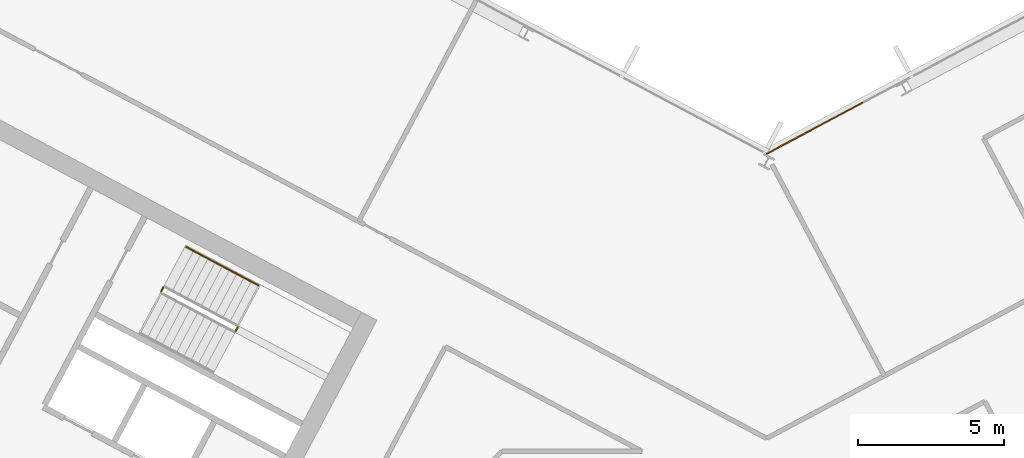
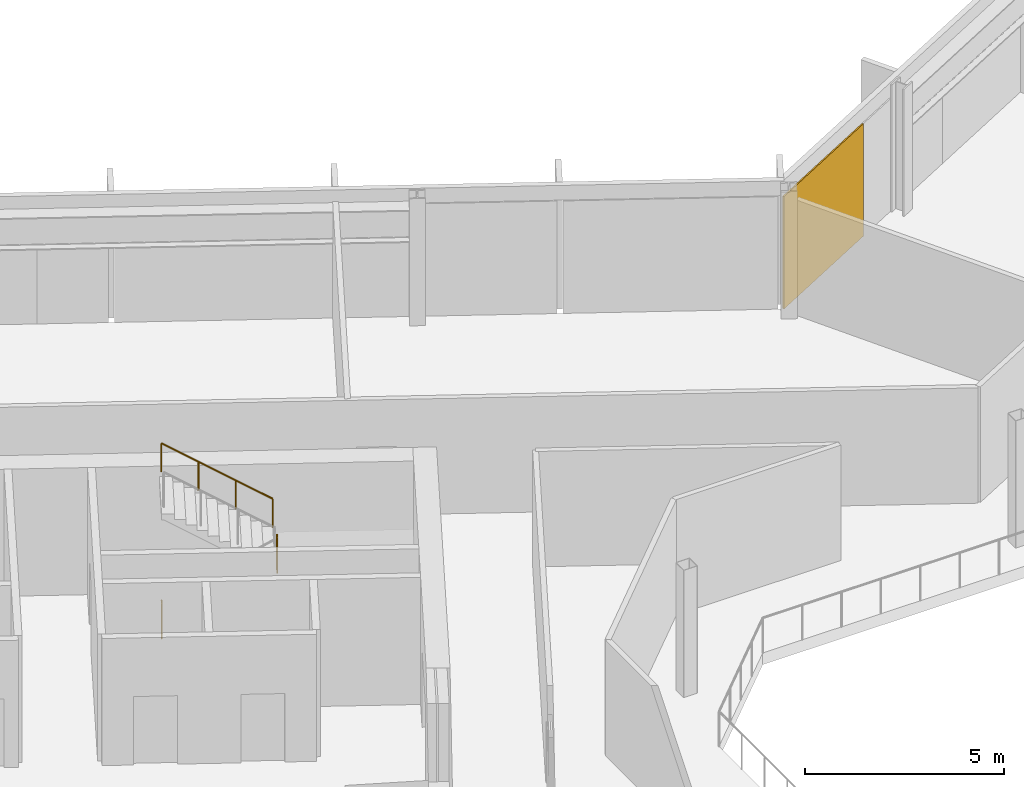
# One storey, part 22 of 26: 3 railings, 1 covering, 1 element without a shape of its own.
"""IFC4 building model written with IfcOpenShell, lengths in metres."""

from ifc_helpers import new_model, si_unit, direction, frame, origin, origin_2d, place, context, subcontext, project, spatial, polyline, rectangle, outline, extrude, material, layer, layer_set, type_object, element, aggregate, save


model = new_model("IFC4")

# Units and contexts
model_context = context("Model", 3, precision=1e-05, world=origin(), true_north=direction((0.0, 1.0)))
body_context = subcontext(model_context, "Body", "Model", "MODEL_VIEW")
ifc_project = project(units=[si_unit("LENGTHUNIT", "METRE"), si_unit("AREAUNIT", "SQUARE_METRE"), si_unit("VOLUMEUNIT", "CUBIC_METRE"), si_unit("PLANEANGLEUNIT", "RADIAN"), si_unit("MASSUNIT", "GRAM", prefix="KILO")], contexts=[model_context])

# Site, building, storey
site_placement = place(None, origin())
site = spatial("IfcSite", under=ifc_project, at=site_placement, CompositionType="ELEMENT")
building_placement = place(site_placement, origin())
building = spatial("IfcBuilding", under=site, at=building_placement, Name="Cormorant Relay Tower", CompositionType="ELEMENT")
storey_placement = place(building_placement, frame((0.0, 0.0, 236.39990234375)))
storey = spatial("IfcBuildingStorey", under=building, at=storey_placement, Name="L52", CompositionType="ELEMENT", Elevation=236.39990234375)

# Curtain wall, covering
ifc_material_1 = material(Name="Aluminium 6063-T6 anodised bronze", Category="aluminium")
ifc_layer_1 = layer(ifc_material_1, 0.199951171875)
ifc_layer_set_1 = layer_set([ifc_layer_1], Name="CW1 unitised bronze curtain wall with vertical fins")
curtain_wall_type = type_object("IfcCurtainWallType", Name="CW1 unitised bronze curtain wall with vertical fins", PredefinedType="NOTDEFINED", material=ifc_layer_set_1)
curtain_wall_placement = place(storey_placement, origin())
curtain_wall = element("IfcCurtainWall", 1, at=curtain_wall_placement, inside=storey, type_object=curtain_wall_type, Name="CW1 curtain wall 8", PredefinedType="NOTDEFINED")
ifc_material_2 = material(Name="Pale bronze anodised aluminium insulated panel", Category="aluminium")
ifc_layer_2 = layer(ifc_material_2, 0.0400390625)
ifc_layer_set_2 = layer_set([ifc_layer_2], Name="CW1 pale bronze insulated panel 40")
covering_type = type_object("IfcCoveringType", Name="CW1 pale bronze insulated panel 40", PredefinedType="CLADDING", material=ifc_layer_set_2)
covering_placement = place(storey_placement, frame((1.65234375, 24.685302734375, 0.0), z_axis=(0.0, 0.0, 1.0), x_axis=(-0.882947592859, -0.469471562786, 0.0)))
covering = element("IfcCovering", 2, at=covering_placement, type_object=covering_type, Name="CW1 panel S08", PredefinedType="CLADDING", context=body_context, shape_type="SweptSolid", body=[
    extrude(rectangle(XDim=3.763916015625, YDim=0.0400390625, at=origin_2d()), origin(), (0.0, 0.0, 1.0), 3.449951171875),
])
aggregate(curtain_wall, [covering])

# Railings
ifc_material_3 = material(Name="Steel ASTM A572 Grade 50 (Fy 345 MPa)", Category="steel")
railing_type_1 = type_object("IfcRailingType", Name="Stair guard 1100", PredefinedType="GUARDRAIL", material=ifc_material_3)
railing_1_placement = place(storey_placement, frame((-18.210693359375, 17.72412109375, 1.9501953125)))
element("IfcRailing", 3, at=railing_1_placement, inside=storey, type_object=railing_type_1, Name="L52 A1 stair guard 2", PredefinedType="GUARDRAIL", context=body_context, shape_type="SweptSolid", body=[
    extrude(outline(polyline([(0.022216796875, 0.00927734375), (0.00927734375, 0.022216796875), (-0.00927734375, 0.022216796875), (-0.022216796875, 0.00927734375), (-0.022216796875, -0.00927734375), (-0.00927734375, -0.022216796875), (0.00927734375, -0.022216796875), (0.022216796875, -0.00927734375), (0.022216796875, 0.00927734375)])), frame((0.0, 0.0, 1.076171875), z_axis=(0.470503732759, 0.882398003998, 0.0), x_axis=(-0.882398003998, 0.470503732759, 0.0)), (0.0, 0.0, 1.0), 0.14990234375),
    extrude(outline(polyline([(0.019287109375, 0.008056640625), (0.008056640625, 0.019287109375), (-0.008056640625, 0.019287109375), (-0.019287109375, 0.008056640625), (-0.019287109375, -0.008056640625), (-0.008056640625, -0.019287109375), (0.008056640625, -0.019287109375), (0.019287109375, -0.008056640625), (0.019287109375, 0.008056640625)])), origin(), (0.0, 0.0, 1.0), 1.052001953125),
    extrude(outline(polyline([(0.019287109375, 0.008056640625), (0.008056640625, 0.019287109375), (-0.008056640625, 0.019287109375), (-0.019287109375, 0.008056640625), (-0.019287109375, -0.008056640625), (-0.008056640625, -0.019287109375), (0.008056640625, -0.019287109375), (0.019287109375, -0.008056640625), (0.019287109375, 0.008056640625)])), frame((0.070556640625, 0.13232421875, 0.0)), (0.0, 0.0, 1.0), 1.052001953125),
])
railing_2_placement = place(storey_placement, frame((-20.771240234375, 19.08544921875, 0.0)))
element("IfcRailing", 4, at=railing_2_placement, inside=storey, type_object=railing_type_1, Name="L52 A1 stair guard 4", PredefinedType="GUARDRAIL", context=body_context, shape_type="SweptSolid", body=[
    extrude(outline(polyline([(0.022216796875, 0.00927734375), (0.00927734375, 0.022216796875), (-0.00927734375, 0.022216796875), (-0.022216796875, 0.00927734375), (-0.022216796875, -0.00927734375), (-0.00927734375, -0.022216796875), (0.00927734375, -0.022216796875), (0.022216796875, -0.00927734375), (0.022216796875, 0.00927734375)])), frame((0.0, 0.0, 1.076171875), z_axis=(0.469828648786, 0.882757634224, 0.0), x_axis=(-0.882757634224, 0.469828648786, 0.0)), (0.0, 0.0, 1.0), 0.150146484375),
    extrude(outline(polyline([(0.019287109375, 0.008056640625), (0.008056640625, 0.019287109375), (-0.008056640625, 0.019287109375), (-0.019287109375, 0.008056640625), (-0.019287109375, -0.008056640625), (-0.008056640625, -0.019287109375), (0.008056640625, -0.019287109375), (0.019287109375, -0.008056640625), (0.019287109375, 0.008056640625)])), origin(), (0.0, 0.0, 1.0), 1.052001953125),
    extrude(outline(polyline([(0.019287109375, 0.008056640625), (0.008056640625, 0.019287109375), (-0.008056640625, 0.019287109375), (-0.019287109375, 0.008056640625), (-0.019287109375, -0.008056640625), (-0.008056640625, -0.019287109375), (0.008056640625, -0.019287109375), (0.019287109375, -0.008056640625), (0.019287109375, 0.008056640625)])), frame((0.070556640625, 0.132568359375, 0.0)), (0.0, 0.0, 1.0), 1.052001953125),
])
ifc_material_4 = material(Name="Steel ASTM A572 Grade 50 (Fy 345 MPa)", Category="steel")
railing_type_2 = type_object("IfcRailingType", Name="Stair handrail 900", PredefinedType="HANDRAIL", material=ifc_material_4)
railing_3_placement = place(storey_placement, frame((-17.433349609375, 19.292724609375, 2.12744140625)))
element("IfcRailing", 5, at=railing_3_placement, inside=storey, type_object=railing_type_2, Name="L52 A1 stair handrail 2", PredefinedType="HANDRAIL", context=body_context, shape_type="SweptSolid", body=[
    extrude(outline(polyline([(0.022216796875, 0.00927734375), (0.00927734375, 0.022216796875), (-0.00927734375, 0.022216796875), (-0.022216796875, 0.00927734375), (-0.022216796875, -0.00927734375), (-0.00927734375, -0.022216796875), (0.00927734375, -0.022216796875), (0.022216796875, -0.00927734375), (0.022216796875, 0.00927734375)])), frame((0.0, 0.0, 0.8759765625), z_axis=(-0.746001213114, 0.396649272309, 0.534931345884), x_axis=(-0.469465464807, -0.882950835185, 0.0)), (0.0, 0.0, 1.0), 3.31396484375),
    extrude(outline(polyline([(0.019287109375, 0.008056640625), (0.008056640625, 0.019287109375), (-0.008056640625, 0.019287109375), (-0.019287109375, 0.008056640625), (-0.019287109375, -0.008056640625), (-0.008056640625, -0.019287109375), (0.008056640625, -0.019287109375), (0.019287109375, -0.008056640625), (0.019287109375, 0.008056640625)])), origin(), (0.0, 0.0, 1.0), 0.851806640625),
    extrude(outline(polyline([(0.019287109375, 0.008056640625), (0.008056640625, 0.019287109375), (-0.008056640625, 0.019287109375), (-0.019287109375, 0.008056640625), (-0.019287109375, -0.008056640625), (-0.008056640625, -0.019287109375), (0.008056640625, -0.019287109375), (0.019287109375, -0.008056640625), (0.019287109375, 0.008056640625)])), frame((-0.823974609375, 0.438232421875, 0.5908203125)), (0.0, 0.0, 1.0), 0.851806640625),
    extrude(outline(polyline([(0.019287109375, 0.008056640625), (0.008056640625, 0.019287109375), (-0.008056640625, 0.019287109375), (-0.019287109375, 0.008056640625), (-0.019287109375, -0.008056640625), (-0.008056640625, -0.019287109375), (0.008056640625, -0.019287109375), (0.019287109375, -0.008056640625), (0.019287109375, 0.008056640625)])), frame((-1.648193359375, 0.876220703125, 1.181884765625)), (0.0, 0.0, 1.0), 0.851806640625),
    extrude(outline(polyline([(0.019287109375, 0.008056640625), (0.008056640625, 0.019287109375), (-0.008056640625, 0.019287109375), (-0.019287109375, 0.008056640625), (-0.019287109375, -0.008056640625), (-0.008056640625, -0.019287109375), (0.008056640625, -0.019287109375), (0.019287109375, -0.008056640625), (0.019287109375, 0.008056640625)])), frame((-2.47216796875, 1.314453125, 1.772705078125)), (0.0, 0.0, 1.0), 0.851806640625),
])

save(model, "model.ifc")
